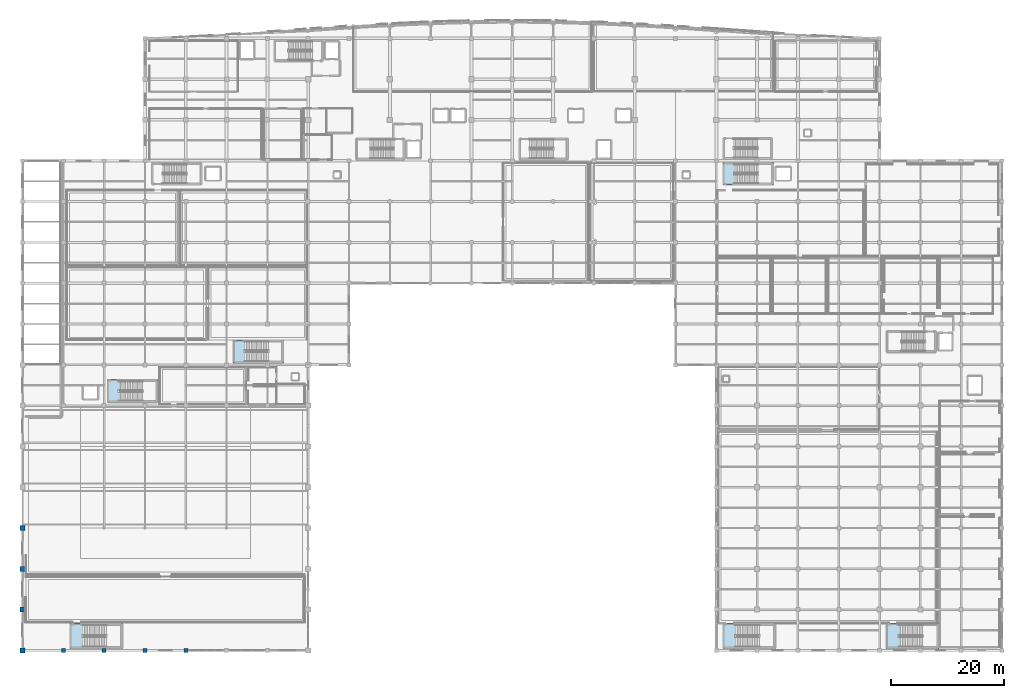
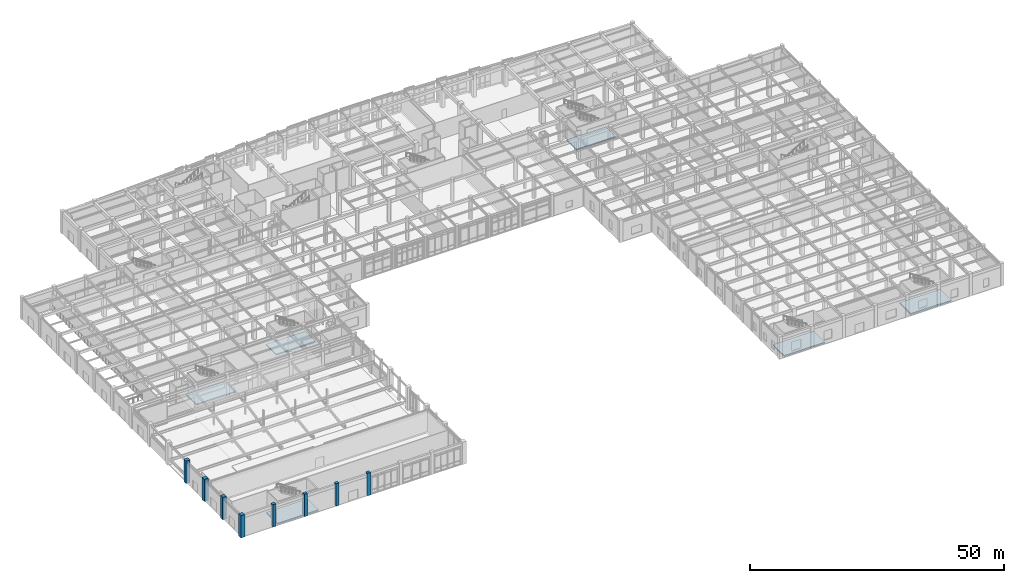
# One storey, part 1 of 102: 8 columns, 6 footings.
"""IFC4 building model written with IfcOpenShell, lengths in metres."""

import ifcopenshell
import ifcopenshell.guid

model = None  # the IFC model being written
_history = None  # IfcOwnerHistory: only IFC2X3 demands one
_inside = {}  # id of a spatial element -> (the spatial element, [elements in it])
_under = {}  # id of a project, library or spatial element -> (it, [spatial elements below it])
_declared = {}  # id of a project -> (the project, [libraries it declares])
_typed = {}  # id of a type object -> (the type object, [elements of that type])
_made_of = {}  # id of a material, layer set ... -> (it, [elements and type objects made of it])


def new_model(schema):
    """Start an empty IFC model of exactly this schema.

    Asked for "IFC4X3", IfcOpenShell would pick the latest addendum, in which some entities
    have other attributes; the version numbers below select the first issue.
    IFC2X3 requires an IfcOwnerHistory on every rooted entity: one is made here for all.
    """
    global model, _history
    if schema == "IFC4X3":
        model = ifcopenshell.file(schema_version=(4, 3, 0, 0))
    else:
        model = ifcopenshell.file(schema=schema)
    _inside.clear()
    _under.clear()
    _declared.clear()
    _typed.clear()
    _made_of.clear()
    _history = None
    if model.schema == "IFC2X3":
        org = make("IfcOrganization", Name="unknown")
        user = make(
            "IfcPersonAndOrganization",
            ThePerson=make("IfcPerson", FamilyName="unknown"),
            TheOrganization=org,
        )
        app = make(
            "IfcApplication",
            ApplicationDeveloper=org,
            Version="unknown",
            ApplicationFullName="unknown",
            ApplicationIdentifier="unknown",
        )
        _history = make(
            "IfcOwnerHistory",
            OwningUser=user,
            OwningApplication=app,
            ChangeAction="ADDED",
            CreationDate=0,
        )
    return model


def make(cls, **values):
    """One entity of the class cls with the attributes given. An attribute that is None is left unset."""
    return model.create_entity(
        cls, **{name: value for name, value in values.items() if value is not None}
    )


def rooted(cls, **values):
    """An entity with a GlobalId (a new one), such as an element, a storey or a relation."""
    return make(cls, GlobalId=ifcopenshell.guid.new(), OwnerHistory=_history, **values)


def si_unit(unit_type, name, prefix=None):
    """IfcSIUnit, for example si_unit("LENGTHUNIT", "METRE", prefix="MILLI")."""
    return make("IfcSIUnit", UnitType=unit_type, Prefix=prefix, Name=name)


def assignment(units):
    """IfcUnitAssignment: the units of a project."""
    return None if units is None else make("IfcUnitAssignment", Units=units)


def point(xyz):
    """IfcCartesianPoint."""
    return None if xyz is None else make("IfcCartesianPoint", Coordinates=xyz)


def direction(xyz):
    """IfcDirection."""
    return None if xyz is None else make("IfcDirection", DirectionRatios=xyz)


def frame(location, z_axis=None, x_axis=None):
    """IfcAxis2Placement3D, a coordinate frame: its origin and axes. An axis left out is left unset."""
    return make(
        "IfcAxis2Placement3D",
        Location=point(location),
        Axis=direction(z_axis),
        RefDirection=direction(x_axis),
    )


def frame_2d(location, x_axis=None):
    """IfcAxis2Placement2D, a coordinate frame in the plane: its origin and x axis."""
    return make(
        "IfcAxis2Placement2D", Location=point(location), RefDirection=direction(x_axis)
    )


def origin():
    """The frame at (0, 0, 0) with its axes left unset."""
    return frame((0.0, 0.0, 0.0))


def origin_2d():
    """The frame at (0, 0) in the plane with its x axis left unset."""
    return frame_2d((0.0, 0.0))


def place(relative_to, where):
    """IfcLocalPlacement: puts the frame where relative to a parent placement (None: the world)."""
    return make(
        "IfcLocalPlacement", PlacementRelTo=relative_to, RelativePlacement=where
    )


def context(
    kind, dimensions, precision=None, world=None, true_north=None, identifier=None
):
    """IfcGeometricRepresentationContext, for example the 3D "Model" context."""
    return make(
        "IfcGeometricRepresentationContext",
        ContextIdentifier=identifier,
        ContextType=kind,
        CoordinateSpaceDimension=dimensions,
        Precision=precision,
        WorldCoordinateSystem=world,
        TrueNorth=true_north,
    )


def subcontext(parent, identifier, kind, view, scale=None):
    """IfcGeometricRepresentationSubContext, for example "Body" below "Model"."""
    return make(
        "IfcGeometricRepresentationSubContext",
        ContextIdentifier=identifier,
        ContextType=kind,
        ParentContext=parent,
        TargetScale=scale,
        TargetView=view,
    )


def project(units=None, contexts=None):
    """IfcProject with its units and contexts."""
    return rooted(
        "IfcProject",
        Name="project",
        RepresentationContexts=contexts,
        UnitsInContext=assignment(units),
    )


def spatial(cls, under=None, at=None, **own):
    """A site, building, storey or space (cls), placed at a placement, below another one or the project."""
    s = rooted(cls, ObjectPlacement=at, **own)
    if under is not None:
        _under.setdefault(under.id(), (under, []))[1].append(s)
    return s


def profile(cls, at=None, kind="AREA", **sizes):
    """A parametric profile (cls). Its sizes go by their IFC names, for example OverallWidth=200.0."""
    return make(cls, ProfileType=kind, Position=at, **sizes)


def rectangle(**sizes):
    """IfcRectangleProfileDef."""
    return profile("IfcRectangleProfileDef", **sizes)


def extrude(swept, where, along, depth):
    """IfcExtrudedAreaSolid: the profile swept, set in the frame where, extruded along a direction by depth."""
    return make(
        "IfcExtrudedAreaSolid",
        SweptArea=swept,
        Position=where,
        ExtrudedDirection=direction(along),
        Depth=depth,
    )


def shape(context_of_items, identifier, shape_type, items):
    """IfcShapeRepresentation: the items that make up one representation, for example the "Body"."""
    return make(
        "IfcShapeRepresentation",
        ContextOfItems=context_of_items,
        RepresentationIdentifier=identifier,
        RepresentationType=shape_type,
        Items=items,
    )


def material(Name=None, Category=None):
    """IfcMaterial."""
    return make("IfcMaterial", Name=Name, Category=Category)


def material_profile(
    of_material, cross_section, Name=None, Category=None, Priority=None
):
    """IfcMaterialProfile: a cross section and its material."""
    return make(
        "IfcMaterialProfile",
        Name=Name,
        Material=of_material,
        Profile=cross_section,
        Priority=Priority,
        Category=Category,
    )


def profile_set(profiles, Name=None, composite=None):
    """IfcMaterialProfileSet."""
    return make(
        "IfcMaterialProfileSet",
        Name=Name,
        MaterialProfiles=profiles,
        CompositeProfile=composite,
    )


def made_of(thing, what):
    """Note that an element or type object is made of a material, layer set ...; save() writes the relation."""
    if what is not None:
        _made_of.setdefault(what.id(), (what, []))[1].append(thing)
    return thing


def type_object(cls, material=None, **own):
    """A type object (cls), such as IfcWallType, which elements share."""
    return made_of(rooted(cls, **own), material)


def element(
    cls,
    number,
    at=None,
    inside=None,
    cuts=None,
    type_object=None,
    material=None,
    context=None,
    identifier="Body",
    shape_type=None,
    held_by="IfcProductDefinitionShape",
    body=None,
    shapes=None,
    **own,
):
    """One element of the class cls, such as IfcWall. Its Tag is "e" and its number.

    at: its placement. inside: the storey or other place that contains it. cuts: it is an
    opening in that element (IfcRelVoidsElement). A single representation is given by context,
    identifier, shape_type and body (its items); several are given by shapes. held_by: the class
    of the entity that holds the representations. save() writes the other relations.
    """
    e = rooted(cls, Tag="e%d" % number, ObjectPlacement=at, **own)
    if body is not None:
        shapes = [shape(context, identifier, shape_type, body)]
    if shapes is not None:
        e.Representation = make(held_by, Representations=shapes)
    if inside is not None:
        _inside.setdefault(inside.id(), (inside, []))[1].append(e)
    if cuts is not None:
        rooted(
            "IfcRelVoidsElement", RelatingBuildingElement=cuts, RelatedOpeningElement=e
        )
    if type_object is not None:
        _typed.setdefault(type_object.id(), (type_object, []))[1].append(e)
    return made_of(e, material)


def aggregate(whole, parts):
    """IfcRelAggregates: a whole, such as a stair, and the parts it consists of."""
    return rooted("IfcRelAggregates", RelatingObject=whole, RelatedObjects=parts)


def save(model, path):
    """Write the relations noted so far, then the file.

    IfcRelAggregates (storeys below a building ...), IfcRelContainedInSpatialStructure (elements
    in a storey), IfcRelDefinesByType, IfcRelAssociatesMaterial and IfcRelDeclares: one each for
    every whole, place, type object, material and project.
    """
    for whole, parts in _under.values():
        aggregate(whole, parts)
    for where, things in _inside.values():
        rooted(
            "IfcRelContainedInSpatialStructure",
            RelatedElements=things,
            RelatingStructure=where,
        )
    for kind, things in _typed.values():
        rooted("IfcRelDefinesByType", RelatedObjects=things, RelatingType=kind)
    for what, things in _made_of.values():
        rooted("IfcRelAssociatesMaterial", RelatedObjects=things, RelatingMaterial=what)
    for by, libraries in _declared.values():
        rooted("IfcRelDeclares", RelatingContext=by, RelatedDefinitions=libraries)
    model.write(path)


model = new_model("IFC4")

# Units and contexts
model_context = context("Model", 3, precision=1e-05, world=origin(), true_north=direction((0.0, 1.0)))
body_context = subcontext(model_context, "Body", "Model", "MODEL_VIEW")
ifc_project = project(units=[si_unit("LENGTHUNIT", "METRE"), si_unit("AREAUNIT", "SQUARE_METRE"), si_unit("VOLUMEUNIT", "CUBIC_METRE"), si_unit("PLANEANGLEUNIT", "RADIAN"), si_unit("MASSUNIT", "GRAM", prefix="KILO")], contexts=[model_context])

# Site, building, storey
site_placement = place(None, origin())
site = spatial("IfcSite", under=ifc_project, at=site_placement, CompositionType="ELEMENT")
building_placement = place(site_placement, origin())
building = spatial("IfcBuilding", under=site, at=building_placement, Name="Carrowvane Square Congress Hotel", CompositionType="ELEMENT")
storey_placement = place(building_placement, origin())
storey = spatial("IfcBuildingStorey", under=building, at=storey_placement, Name="L00", CompositionType="ELEMENT", Elevation=0.0)

# Footings
ifc_material_1 = material(Name="Concrete C35/45", Category="concrete")
footing_type = type_object("IfcFootingType", Name="FTG-PAD-STR-290", PredefinedType="PAD_FOOTING", material=ifc_material_1)
for number, where, z_axis, x_axis, name in (
    (1, (31.0, 51.159912109375, -0.2919921875), (0.0, 0.0, 1.0), (1.0, 0.0, 0.0), "ST6 stair core pad footing"),
    (2, (53.199951171875, 58.159912109375, -0.2919921875), (0.0, 0.0, 1.0), (1.0, 0.0, 0.0), "ST7 stair core pad footing"),
):
    element("IfcFooting", number, at=place(storey_placement, frame(where, z_axis=z_axis, x_axis=x_axis)), inside=storey, type_object=footing_type, Name=name, PredefinedType="PAD_FOOTING", context=body_context, shape_type="SweptSolid", body=[
        extrude(rectangle(XDim=8.89990234375, YDim=4.02001953125, at=origin_2d()), origin(), (0.0, 0.0, 1.0), 0.2900390625),
    ])
footing_placement = place(storey_placement, frame((139.60009765625, 89.5, -0.2919921875), z_axis=(0.0, 0.0, 1.0), x_axis=(1.0, 0.0, 0.0)))
element("IfcFooting", 3, at=footing_placement, inside=storey, type_object=footing_type, Name="ST8 stair core pad footing", PredefinedType="PAD_FOOTING", context=body_context, shape_type="SweptSolid", body=[
    extrude(rectangle(XDim=8.89990234375, YDim=3.89990234375, at=origin_2d()), origin(), (0.0, 0.0, 1.0), 0.2900390625),
])
for number, where, z_axis, x_axis, name in (
    (4, (24.60009765625, 7.949951171875, -0.2919921875), (0.0, 0.0, 1.0), (1.0, 0.0, 0.0), "ST9 stair core pad footing"),
    (5, (139.800048828125, 7.949951171875, -0.2919921875), (0.0, 0.0, 1.0), (1.0, 0.0, 0.0), "ST10 stair core pad footing"),
    (6, (168.60009765625, 7.949951171875, -0.2919921875), (0.0, 0.0, 1.0), (1.0, 0.0, 0.0), "ST11 stair core pad footing"),
):
    element("IfcFooting", number, at=place(storey_placement, frame(where, z_axis=z_axis, x_axis=x_axis)), inside=storey, type_object=footing_type, Name=name, PredefinedType="PAD_FOOTING", context=body_context, shape_type="SweptSolid", body=[
        extrude(rectangle(XDim=9.300048828125, YDim=4.39990234375, at=origin_2d()), origin(), (0.0, 0.0, 1.0), 0.2900390625),
    ])

# Columns
ifc_material_2 = material(Name="Concrete C40/50", Category="concrete")
ifc_material_profile_1 = material_profile(ifc_material_2, rectangle(XDim=0.699951171875, YDim=0.699951171875, at=origin_2d()), Name="RC 700x700")
ifc_profile_set_1 = profile_set([ifc_material_profile_1], Name="Concrete C40/50")
column_type_1 = type_object("IfcColumnType", Name="COL-RC-700", PredefinedType="COLUMN", material=ifc_profile_set_1)
for number, where, z_axis, x_axis, name in (
    (7, (18.800048828125, 5.39990234375, 0.0), (0.0, 0.0, 1.0), (1.0, 0.0, 0.0), "L00 column 2/A"),
    (8, (26.0, 5.39990234375, 0.0), (0.0, 0.0, 1.0), (1.0, 0.0, 0.0), "L00 column 3/A"),
    (9, (33.199951171875, 5.39990234375, 0.0), (0.0, 0.0, 1.0), (1.0, 0.0, 0.0), "L00 column 4/A"),
    (10, (40.39990234375, 5.39990234375, 0.0), (0.0, 0.0, 1.0), (1.0, 0.0, 0.0), "L00 column 5/A"),
):
    element("IfcColumn", number, at=place(storey_placement, frame(where, z_axis=z_axis, x_axis=x_axis)), inside=storey, type_object=column_type_1, Name=name, PredefinedType="COLUMN", context=body_context, shape_type="SweptSolid", body=[
        extrude(rectangle(XDim=0.699951171875, YDim=0.699951171875, at=origin_2d()), origin(), (0.0, 0.0, 1.0), 5.39990234375),
    ])
ifc_material_3 = material(Name="Concrete C40/50", Category="concrete")
ifc_material_profile_2 = material_profile(ifc_material_3, rectangle(XDim=0.89990234375, YDim=0.89990234375, at=origin_2d()), Name="RC 900x900")
ifc_profile_set_2 = profile_set([ifc_material_profile_2], Name="Concrete C40/50")
column_type_2 = type_object("IfcColumnType", Name="MCOL-RC-900", PredefinedType="COLUMN", material=ifc_profile_set_2)
for number, where, z_axis, x_axis, name in (
    (11, (11.60009765625, 5.39990234375, 0.0), (0.0, 0.0, 1.0), (1.0, 0.0, 0.0), "L00 column 1/A"),
    (12, (11.60009765625, 12.60009765625, 0.0), (0.0, 0.0, 1.0), (1.0, 0.0, 0.0), "L00 column 1/B"),
    (13, (11.60009765625, 19.800048828125, 0.0), (0.0, 0.0, 1.0), (1.0, 0.0, 0.0), "L00 column 1/C"),
    (14, (11.60009765625, 27.0, 0.0), (0.0, 0.0, 1.0), (1.0, 0.0, 0.0), "L00 column 1/D"),
):
    element("IfcColumn", number, at=place(storey_placement, frame(where, z_axis=z_axis, x_axis=x_axis)), inside=storey, type_object=column_type_2, Name=name, PredefinedType="COLUMN", context=body_context, shape_type="SweptSolid", body=[
        extrude(rectangle(XDim=0.89990234375, YDim=0.89990234375, at=origin_2d()), origin(), (0.0, 0.0, 1.0), 5.39990234375),
    ])

save(model, "model.ifc")
